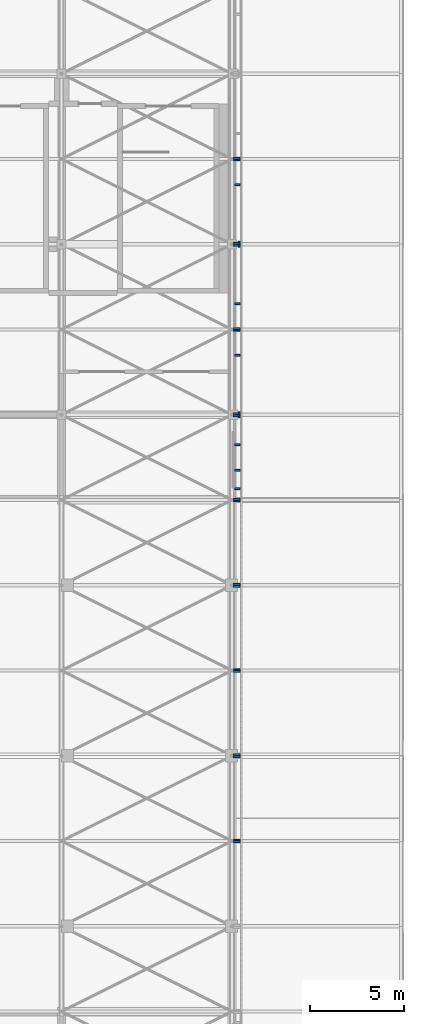
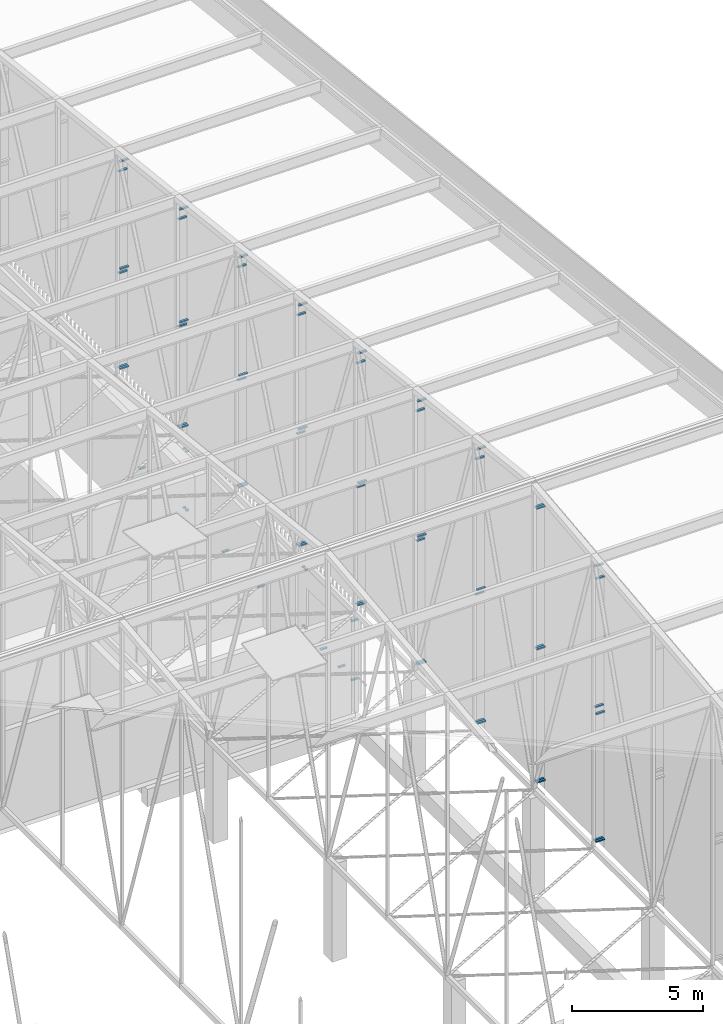
# One storey, part 452 of 500: 69 discrete accessories.
"""IFC4 building model written with IfcOpenShell, lengths in metres."""

from ifc_helpers import new_model, si_unit, direction, frame, origin, origin_2d, place, context, subcontext, project, spatial, rectangle, extrude, material, type_object, element, save


model = new_model("IFC4")

# Units and contexts
model_context = context("Model", 3, precision=1e-05, world=origin(), true_north=direction((0.0, 1.0)))
body_context = subcontext(model_context, "Body", "Model", "MODEL_VIEW")
ifc_project = project(units=[si_unit("LENGTHUNIT", "METRE"), si_unit("AREAUNIT", "SQUARE_METRE"), si_unit("VOLUMEUNIT", "CUBIC_METRE"), si_unit("PLANEANGLEUNIT", "RADIAN"), si_unit("MASSUNIT", "GRAM", prefix="KILO")], contexts=[model_context])

# Site, building, storey
site_placement = place(None, origin())
site = spatial("IfcSite", under=ifc_project, at=site_placement, CompositionType="ELEMENT")
building_placement = place(site_placement, origin())
building = spatial("IfcBuilding", under=site, at=building_placement, Name="Shirokan Park Arena", CompositionType="ELEMENT")
storey_placement = place(building_placement, frame((0.0, 0.0, 29.1201171875)))
storey = spatial("IfcBuildingStorey", under=building, at=storey_placement, Name="L06", CompositionType="ELEMENT", Elevation=29.1201171875)

# Discrete accessories
ifc_material = material(Name="Steel S355", Category="steel")
discrete_accessory_type = type_object("IfcDiscreteAccessoryType", Name="Veil bracket 100x60", PredefinedType="BRACKET", material=ifc_material)
discrete_accessory_1_placement = place(storey_placement, frame((145.8974609375, 68.85009765625, 1.06982421875), z_axis=(0.0, 0.0, 1.0), x_axis=(0.0, 1.0, 0.0)))
element("IfcDiscreteAccessory", 1, at=discrete_accessory_1_placement, inside=storey, type_object=discrete_accessory_type, Name="Veil bracket east bay 8 L06 1", PredefinedType="BRACKET", context=body_context, shape_type="SweptSolid", body=[
    extrude(rectangle(XDim=0.10009765625, YDim=0.294921875, at=origin_2d()), origin(), (0.0, 0.0, 1.0), 0.06005859375),
])
discrete_accessory_2_placement = place(storey_placement, frame((145.985107421875, 72.699951171875, 1.06982421875), z_axis=(0.0, 0.0, 1.0), x_axis=(0.0, 1.0, 0.0)))
element("IfcDiscreteAccessory", 2, at=discrete_accessory_2_placement, inside=storey, type_object=discrete_accessory_type, Name="Veil bracket east bay 8 L06 2", PredefinedType="BRACKET", context=body_context, shape_type="SweptSolid", body=[
    extrude(rectangle(XDim=0.10009765625, YDim=0.1201171875, at=origin_2d()), origin(), (0.0, 0.0, 1.0), 0.06005859375),
])
discrete_accessory_3_placement = place(storey_placement, frame((145.8974609375, 68.85009765625, 3.81982421875), z_axis=(0.0, 0.0, 1.0), x_axis=(0.0, 1.0, 0.0)))
element("IfcDiscreteAccessory", 3, at=discrete_accessory_3_placement, inside=storey, type_object=discrete_accessory_type, Name="Veil bracket east bay 8 L06 3", PredefinedType="BRACKET", context=body_context, shape_type="SweptSolid", body=[
    extrude(rectangle(XDim=0.10009765625, YDim=0.294921875, at=origin_2d()), origin(), (0.0, 0.0, 1.0), 0.06005859375),
])
discrete_accessory_4_placement = place(storey_placement, frame((145.985107421875, 72.699951171875, 3.81982421875), z_axis=(0.0, 0.0, 1.0), x_axis=(0.0, 1.0, 0.0)))
element("IfcDiscreteAccessory", 4, at=discrete_accessory_4_placement, inside=storey, type_object=discrete_accessory_type, Name="Veil bracket east bay 8 L06 4", PredefinedType="BRACKET", context=body_context, shape_type="SweptSolid", body=[
    extrude(rectangle(XDim=0.10009765625, YDim=0.1201171875, at=origin_2d()), origin(), (0.0, 0.0, 1.0), 0.06005859375),
])
for number, where, z_axis, x_axis, name in (
    (5, (145.8974609375, 69.842529296875, 1.06982421875), (0.0, 0.0, 1.0), (0.0, 1.0, 0.0), "Veil bracket east bay 8 L06 wall 1"),
    (6, (145.8974609375, 71.20751953125, 1.06982421875), (0.0, 0.0, 1.0), (0.0, 1.0, 0.0), "Veil bracket east bay 8 L06 wall 2"),
):
    element("IfcDiscreteAccessory", number, at=place(storey_placement, frame(where, z_axis=z_axis, x_axis=x_axis)), inside=storey, type_object=discrete_accessory_type, Name=name, PredefinedType="BRACKET", context=body_context, shape_type="SweptSolid", body=[
        extrude(rectangle(XDim=0.10009765625, YDim=0.294921875, at=origin_2d()), origin(), (0.0, 0.0, 1.0), 0.06005859375),
    ])
for number, where, z_axis, x_axis, name in (
    (7, (145.985107421875, 72.89990234375, 1.06982421875), (0.0, 0.0, 1.0), (0.0, 1.0, 0.0), "Veil bracket east bay 9 L06 1"),
    (8, (145.985107421875, 81.800048828125, 1.06982421875), (0.0, 0.0, 1.0), (0.0, 1.0, 0.0), "Veil bracket east bay 9 L06 2"),
    (9, (145.985107421875, 72.89990234375, 3.81982421875), (0.0, 0.0, 1.0), (0.0, 1.0, 0.0), "Veil bracket east bay 9 L06 3"),
    (10, (145.985107421875, 81.800048828125, 3.81982421875), (0.0, 0.0, 1.0), (0.0, 1.0, 0.0), "Veil bracket east bay 9 L06 4"),
):
    element("IfcDiscreteAccessory", number, at=place(storey_placement, frame(where, z_axis=z_axis, x_axis=x_axis)), inside=storey, type_object=discrete_accessory_type, Name=name, PredefinedType="BRACKET", context=body_context, shape_type="SweptSolid", body=[
        extrude(rectangle(XDim=0.10009765625, YDim=0.1201171875, at=origin_2d()), origin(), (0.0, 0.0, 1.0), 0.06005859375),
    ])
for number, where, z_axis, x_axis, name in (
    (11, (145.8974609375, 75.985107421875, 1.06982421875), (0.0, 0.0, 1.0), (0.0, 1.0, 0.0), "Veil bracket east bay 9 L06 wall 1"),
    (12, (145.8974609375, 78.715087890625, 1.06982421875), (0.0, 0.0, 1.0), (0.0, 1.0, 0.0), "Veil bracket east bay 9 L06 wall 2"),
):
    element("IfcDiscreteAccessory", number, at=place(storey_placement, frame(where, z_axis=z_axis, x_axis=x_axis)), inside=storey, type_object=discrete_accessory_type, Name=name, PredefinedType="BRACKET", context=body_context, shape_type="SweptSolid", body=[
        extrude(rectangle(XDim=0.10009765625, YDim=0.294921875, at=origin_2d()), origin(), (0.0, 0.0, 1.0), 0.06005859375),
    ])
for number, where, z_axis, x_axis, name in (
    (13, (145.985107421875, 82.0, 1.06982421875), (0.0, 0.0, 1.0), (0.0, 1.0, 0.0), "Veil bracket east bay 10 L06 1"),
    (14, (145.985107421875, 82.0, 3.81982421875), (0.0, 0.0, 1.0), (0.0, 1.0, 0.0), "Veil bracket east bay 10 L06 3"),
):
    element("IfcDiscreteAccessory", number, at=place(storey_placement, frame(where, z_axis=z_axis, x_axis=x_axis)), inside=storey, type_object=discrete_accessory_type, Name=name, PredefinedType="BRACKET", context=body_context, shape_type="SweptSolid", body=[
        extrude(rectangle(XDim=0.10009765625, YDim=0.1201171875, at=origin_2d()), origin(), (0.0, 0.0, 1.0), 0.06005859375),
    ])
discrete_accessory_5_placement = place(storey_placement, frame((145.8974609375, 85.0849609375, 1.06982421875), z_axis=(0.0, 0.0, 1.0), x_axis=(0.0, 1.0, 0.0)))
element("IfcDiscreteAccessory", 15, at=discrete_accessory_5_placement, inside=storey, type_object=discrete_accessory_type, Name="Veil bracket east bay 10 L06 wall 1", PredefinedType="BRACKET", context=body_context, shape_type="SweptSolid", body=[
    extrude(rectangle(XDim=0.10009765625, YDim=0.294921875, at=origin_2d()), origin(), (0.0, 0.0, 1.0), 0.06005859375),
])
for number, where, z_axis, x_axis, name in (
    (16, (145.85107421875, 50.0, 4.995849609375), (0.0, 0.0, 1.0), (1.0, 0.0, 0.0), "Veil bracket gable band east bay 13 4"),
    (17, (145.85107421875, 50.0, 10.953857421875), (0.0, 0.0, 1.0), (1.0, 0.0, 0.0), "Veil bracket gable band east bay 13 5"),
    (18, (145.85107421875, 50.0, 17.261962890625), (0.0, 0.0, 1.0), (1.0, 0.0, 0.0), "Veil bracket gable band east bay 13 6"),
    (19, (145.85107421875, 50.10009765625, 4.995849609375), (0.0, 0.0, 1.0), (1.0, 0.0, 0.0), "Veil bracket gable band east bay 14 1"),
    (20, (145.85107421875, 50.10009765625, 11.2138671875), (0.0, 0.0, 1.0), (1.0, 0.0, 0.0), "Veil bracket gable band east bay 14 2"),
    (21, (145.85107421875, 50.10009765625, 17.78173828125), (0.0, 0.0, 1.0), (1.0, 0.0, 0.0), "Veil bracket gable band east bay 14 3"),
):
    element("IfcDiscreteAccessory", number, at=place(storey_placement, frame(where, z_axis=z_axis, x_axis=x_axis)), inside=storey, type_object=discrete_accessory_type, Name=name, PredefinedType="BRACKET", context=body_context, shape_type="SweptSolid", body=[
        extrude(rectangle(XDim=0.387939453125, YDim=0.10009765625, at=origin_2d()), origin(), (0.0, 0.0, 1.0), 0.06005859375),
    ])
for number, where, z_axis, x_axis, name in (
    (22, (145.854248046875, 54.550048828125, 4.995849609375), (0.0, 0.0, 1.0), (1.0, 0.0, 0.0), "Veil bracket gable band east bay 14 4"),
    (23, (145.854248046875, 54.550048828125, 11.2138671875), (0.0, 0.0, 1.0), (1.0, 0.0, 0.0), "Veil bracket gable band east bay 14 5"),
    (24, (145.854248046875, 54.550048828125, 17.78173828125), (0.0, 0.0, 1.0), (1.0, 0.0, 0.0), "Veil bracket gable band east bay 14 6"),
    (25, (145.854248046875, 54.64990234375, 4.995849609375), (0.0, 0.0, 1.0), (1.0, 0.0, 0.0), "Veil bracket gable band east bay 15 1"),
    (26, (145.854248046875, 54.64990234375, 11.2138671875), (0.0, 0.0, 1.0), (1.0, 0.0, 0.0), "Veil bracket gable band east bay 15 2"),
    (27, (145.854248046875, 54.64990234375, 17.78173828125), (0.0, 0.0, 1.0), (1.0, 0.0, 0.0), "Veil bracket gable band east bay 15 3"),
):
    element("IfcDiscreteAccessory", number, at=place(storey_placement, frame(where, z_axis=z_axis, x_axis=x_axis)), inside=storey, type_object=discrete_accessory_type, Name=name, PredefinedType="BRACKET", context=body_context, shape_type="SweptSolid", body=[
        extrude(rectangle(XDim=0.381591796875, YDim=0.10009765625, at=origin_2d()), origin(), (0.0, 0.0, 1.0), 0.06005859375),
    ])
for number, where, z_axis, x_axis, name in (
    (28, (145.85107421875, 59.10009765625, 4.995849609375), (0.0, 0.0, 1.0), (1.0, 0.0, 0.0), "Veil bracket gable band east bay 15 4"),
    (29, (145.85107421875, 59.10009765625, 11.2138671875), (0.0, 0.0, 1.0), (1.0, 0.0, 0.0), "Veil bracket gable band east bay 15 5"),
    (30, (145.85107421875, 59.10009765625, 17.78173828125), (0.0, 0.0, 1.0), (1.0, 0.0, 0.0), "Veil bracket gable band east bay 15 6"),
    (31, (145.85107421875, 59.199951171875, 4.995849609375), (0.0, 0.0, 1.0), (1.0, 0.0, 0.0), "Veil bracket gable band east bay 16 1"),
    (32, (145.85107421875, 59.199951171875, 10.953857421875), (0.0, 0.0, 1.0), (1.0, 0.0, 0.0), "Veil bracket gable band east bay 16 2"),
    (33, (145.85107421875, 59.199951171875, 17.261962890625), (0.0, 0.0, 1.0), (1.0, 0.0, 0.0), "Veil bracket gable band east bay 16 3"),
):
    element("IfcDiscreteAccessory", number, at=place(storey_placement, frame(where, z_axis=z_axis, x_axis=x_axis)), inside=storey, type_object=discrete_accessory_type, Name=name, PredefinedType="BRACKET", context=body_context, shape_type="SweptSolid", body=[
        extrude(rectangle(XDim=0.387939453125, YDim=0.10009765625, at=origin_2d()), origin(), (0.0, 0.0, 1.0), 0.06005859375),
    ])
for number, where, z_axis, x_axis, name in (
    (34, (145.854248046875, 63.64990234375, 4.995849609375), (0.0, 0.0, 1.0), (1.0, 0.0, 0.0), "Veil bracket gable band east bay 16 4"),
    (35, (145.854248046875, 63.64990234375, 10.953857421875), (0.0, 0.0, 1.0), (1.0, 0.0, 0.0), "Veil bracket gable band east bay 16 5"),
    (36, (145.854248046875, 63.64990234375, 17.261962890625), (0.0, 0.0, 1.0), (1.0, 0.0, 0.0), "Veil bracket gable band east bay 16 6"),
    (37, (145.854248046875, 63.75, 4.995849609375), (0.0, 0.0, 1.0), (1.0, 0.0, 0.0), "Veil bracket gable band east bay 17 1"),
    (38, (145.854248046875, 63.75, 10.69384765625), (0.0, 0.0, 1.0), (1.0, 0.0, 0.0), "Veil bracket gable band east bay 17 2"),
    (39, (145.854248046875, 63.75, 16.741943359375), (0.0, 0.0, 1.0), (1.0, 0.0, 0.0), "Veil bracket gable band east bay 17 3"),
):
    element("IfcDiscreteAccessory", number, at=place(storey_placement, frame(where, z_axis=z_axis, x_axis=x_axis)), inside=storey, type_object=discrete_accessory_type, Name=name, PredefinedType="BRACKET", context=body_context, shape_type="SweptSolid", body=[
        extrude(rectangle(XDim=0.381591796875, YDim=0.10009765625, at=origin_2d()), origin(), (0.0, 0.0, 1.0), 0.06005859375),
    ])
for number, where, z_axis, x_axis, name in (
    (40, (145.85107421875, 68.199951171875, 4.995849609375), (0.0, 0.0, 1.0), (1.0, 0.0, 0.0), "Veil bracket gable band east bay 17 4"),
    (41, (145.85107421875, 68.199951171875, 10.69384765625), (0.0, 0.0, 1.0), (1.0, 0.0, 0.0), "Veil bracket gable band east bay 17 5"),
    (42, (145.85107421875, 68.199951171875, 16.741943359375), (0.0, 0.0, 1.0), (1.0, 0.0, 0.0), "Veil bracket gable band east bay 17 6"),
    (43, (145.85107421875, 68.300048828125, 4.995849609375), (0.0, 0.0, 1.0), (1.0, 0.0, 0.0), "Veil bracket gable band east bay 18 1"),
    (44, (145.85107421875, 68.300048828125, 10.433837890625), (0.0, 0.0, 1.0), (1.0, 0.0, 0.0), "Veil bracket gable band east bay 18 2"),
    (45, (145.85107421875, 68.300048828125, 16.221923828125), (0.0, 0.0, 1.0), (1.0, 0.0, 0.0), "Veil bracket gable band east bay 18 3"),
):
    element("IfcDiscreteAccessory", number, at=place(storey_placement, frame(where, z_axis=z_axis, x_axis=x_axis)), inside=storey, type_object=discrete_accessory_type, Name=name, PredefinedType="BRACKET", context=body_context, shape_type="SweptSolid", body=[
        extrude(rectangle(XDim=0.387939453125, YDim=0.10009765625, at=origin_2d()), origin(), (0.0, 0.0, 1.0), 0.06005859375),
    ])
for number, where, z_axis, x_axis, name in (
    (46, (145.854248046875, 72.75, 4.995849609375), (0.0, 0.0, 1.0), (1.0, 0.0, 0.0), "Veil bracket gable band east bay 18 4"),
    (47, (145.854248046875, 72.75, 10.433837890625), (0.0, 0.0, 1.0), (1.0, 0.0, 0.0), "Veil bracket gable band east bay 18 5"),
    (48, (145.854248046875, 72.75, 16.221923828125), (0.0, 0.0, 1.0), (1.0, 0.0, 0.0), "Veil bracket gable band east bay 18 6"),
    (49, (145.854248046875, 72.85009765625, 4.995849609375), (0.0, 0.0, 1.0), (1.0, 0.0, 0.0), "Veil bracket gable band east bay 19 1"),
    (50, (145.854248046875, 72.85009765625, 10.173828125), (0.0, 0.0, 1.0), (1.0, 0.0, 0.0), "Veil bracket gable band east bay 19 2"),
    (51, (145.854248046875, 72.85009765625, 15.701904296875), (0.0, 0.0, 1.0), (1.0, 0.0, 0.0), "Veil bracket gable band east bay 19 3"),
):
    element("IfcDiscreteAccessory", number, at=place(storey_placement, frame(where, z_axis=z_axis, x_axis=x_axis)), inside=storey, type_object=discrete_accessory_type, Name=name, PredefinedType="BRACKET", context=body_context, shape_type="SweptSolid", body=[
        extrude(rectangle(XDim=0.381591796875, YDim=0.10009765625, at=origin_2d()), origin(), (0.0, 0.0, 1.0), 0.06005859375),
    ])
for number, where, z_axis, x_axis, name in (
    (52, (145.85107421875, 77.300048828125, 4.995849609375), (0.0, 0.0, 1.0), (1.0, 0.0, 0.0), "Veil bracket gable band east bay 19 4"),
    (53, (145.85107421875, 77.300048828125, 10.173828125), (0.0, 0.0, 1.0), (1.0, 0.0, 0.0), "Veil bracket gable band east bay 19 5"),
    (54, (145.85107421875, 77.300048828125, 15.701904296875), (0.0, 0.0, 1.0), (1.0, 0.0, 0.0), "Veil bracket gable band east bay 19 6"),
    (55, (145.85107421875, 77.39990234375, 4.995849609375), (0.0, 0.0, 1.0), (1.0, 0.0, 0.0), "Veil bracket gable band east bay 20 1"),
    (56, (145.85107421875, 77.39990234375, 9.913818359375), (0.0, 0.0, 1.0), (1.0, 0.0, 0.0), "Veil bracket gable band east bay 20 2"),
    (57, (145.85107421875, 77.39990234375, 15.181884765625), (0.0, 0.0, 1.0), (1.0, 0.0, 0.0), "Veil bracket gable band east bay 20 3"),
):
    element("IfcDiscreteAccessory", number, at=place(storey_placement, frame(where, z_axis=z_axis, x_axis=x_axis)), inside=storey, type_object=discrete_accessory_type, Name=name, PredefinedType="BRACKET", context=body_context, shape_type="SweptSolid", body=[
        extrude(rectangle(XDim=0.387939453125, YDim=0.10009765625, at=origin_2d()), origin(), (0.0, 0.0, 1.0), 0.06005859375),
    ])
for number, where, z_axis, x_axis, name in (
    (58, (145.854248046875, 81.85009765625, 4.995849609375), (0.0, 0.0, 1.0), (1.0, 0.0, 0.0), "Veil bracket gable band east bay 20 4"),
    (59, (145.854248046875, 81.85009765625, 9.913818359375), (0.0, 0.0, 1.0), (1.0, 0.0, 0.0), "Veil bracket gable band east bay 20 5"),
    (60, (145.854248046875, 81.85009765625, 15.181884765625), (0.0, 0.0, 1.0), (1.0, 0.0, 0.0), "Veil bracket gable band east bay 20 6"),
    (61, (145.854248046875, 81.949951171875, 4.995849609375), (0.0, 0.0, 1.0), (1.0, 0.0, 0.0), "Veil bracket gable band east bay 21 1"),
    (62, (145.854248046875, 81.949951171875, 9.65380859375), (0.0, 0.0, 1.0), (1.0, 0.0, 0.0), "Veil bracket gable band east bay 21 2"),
    (63, (145.854248046875, 81.949951171875, 14.661865234375), (0.0, 0.0, 1.0), (1.0, 0.0, 0.0), "Veil bracket gable band east bay 21 3"),
):
    element("IfcDiscreteAccessory", number, at=place(storey_placement, frame(where, z_axis=z_axis, x_axis=x_axis)), inside=storey, type_object=discrete_accessory_type, Name=name, PredefinedType="BRACKET", context=body_context, shape_type="SweptSolid", body=[
        extrude(rectangle(XDim=0.381591796875, YDim=0.10009765625, at=origin_2d()), origin(), (0.0, 0.0, 1.0), 0.06005859375),
    ])
for number, where, z_axis, x_axis, name in (
    (64, (145.85107421875, 86.39990234375, 4.995849609375), (0.0, 0.0, 1.0), (1.0, 0.0, 0.0), "Veil bracket gable band east bay 21 4"),
    (65, (145.85107421875, 86.39990234375, 9.65380859375), (0.0, 0.0, 1.0), (1.0, 0.0, 0.0), "Veil bracket gable band east bay 21 5"),
    (66, (145.85107421875, 86.39990234375, 14.661865234375), (0.0, 0.0, 1.0), (1.0, 0.0, 0.0), "Veil bracket gable band east bay 21 6"),
    (67, (145.85107421875, 86.5, 4.995849609375), (0.0, 0.0, 1.0), (1.0, 0.0, 0.0), "Veil bracket gable band east bay 22 1"),
    (68, (145.85107421875, 86.5, 9.393798828125), (0.0, 0.0, 1.0), (1.0, 0.0, 0.0), "Veil bracket gable band east bay 22 2"),
    (69, (145.85107421875, 86.5, 14.141845703125), (0.0, 0.0, 1.0), (1.0, 0.0, 0.0), "Veil bracket gable band east bay 22 3"),
):
    element("IfcDiscreteAccessory", number, at=place(storey_placement, frame(where, z_axis=z_axis, x_axis=x_axis)), inside=storey, type_object=discrete_accessory_type, Name=name, PredefinedType="BRACKET", context=body_context, shape_type="SweptSolid", body=[
        extrude(rectangle(XDim=0.387939453125, YDim=0.10009765625, at=origin_2d()), origin(), (0.0, 0.0, 1.0), 0.06005859375),
    ])

save(model, "model.ifc")
